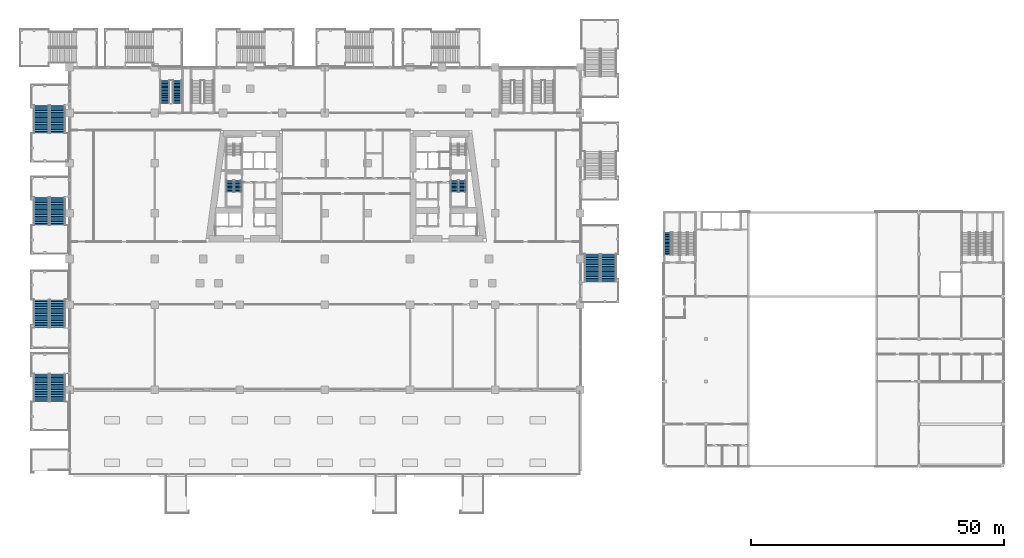
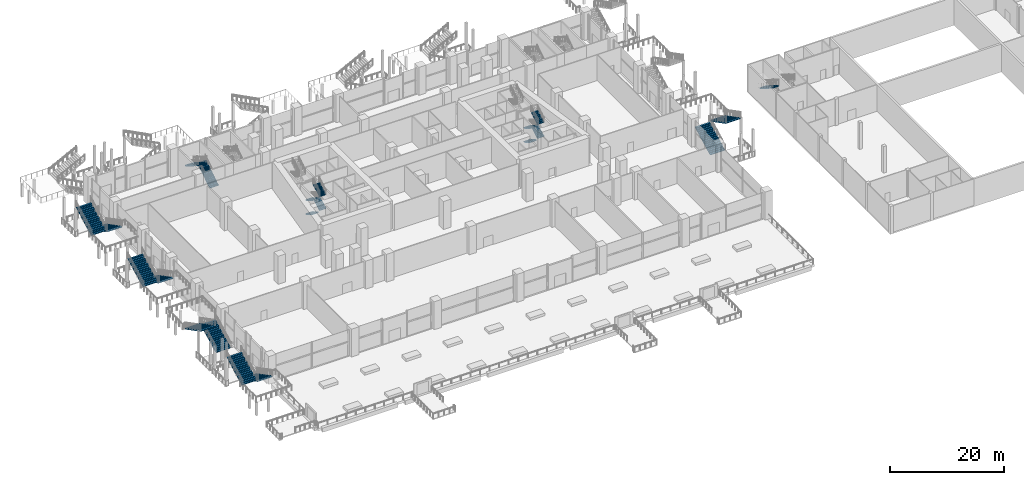
# One storey, part 29 of 47: 21 stair flights, 9 elements without a shape of their own.
"""IFC4 building model written with IfcOpenShell, lengths in metres."""

from ifc_helpers import new_model, si_unit, direction, frame, origin, place, context, subcontext, project, spatial, polyline, outline, extrude, material, type_object, element, aggregate, save


model = new_model("IFC4")

# Units and contexts
model_context = context("Model", 3, precision=1e-05, world=origin(), true_north=direction((0.0, 1.0)))
body_context = subcontext(model_context, "Body", "Model", "MODEL_VIEW")
ifc_project = project(units=[si_unit("LENGTHUNIT", "METRE"), si_unit("AREAUNIT", "SQUARE_METRE"), si_unit("VOLUMEUNIT", "CUBIC_METRE"), si_unit("PLANEANGLEUNIT", "RADIAN"), si_unit("MASSUNIT", "GRAM", prefix="KILO")], contexts=[model_context])

# Site, building, storey
site_placement = place(None, origin())
site = spatial("IfcSite", under=ifc_project, at=site_placement, CompositionType="ELEMENT")
building_placement = place(site_placement, origin())
building = spatial("IfcBuilding", under=site, at=building_placement, Name="Candeia Pilgrim Tower and Theatre", CompositionType="ELEMENT")
storey_placement = place(building_placement, frame((0.0, 0.0, 23.0)))
storey = spatial("IfcBuildingStorey", under=building, at=storey_placement, Name="L03", CompositionType="ELEMENT", Elevation=23.0)

# Stair, stair flights
ifc_material_1 = material(Name="Concrete C40/50", Category="concrete")
stair_type_1 = type_object("IfcStairType", Name="ST-EXT external escape stair", PredefinedType="HALF_TURN_STAIR", material=ifc_material_1)
stair_1_placement = place(storey_placement, origin())
stair_1 = element("IfcStair", 1, at=stair_1_placement, inside=storey, type_object=stair_type_1, Name="L03 External escape stair ES1", PredefinedType="HALF_TURN_STAIR")
stair_flight_type_1 = type_object("IfcStairFlightType", Name="SFL-EXT stair flight", PredefinedType="STRAIGHT", material=ifc_material_1)
stair_flight_1_placement = place(storey_placement, frame((162.0, 102.5, 0.0), z_axis=(0.0, 0.0, 1.0), x_axis=(0.0, 1.0, 0.0)))
stair_flight_1 = element("IfcStairFlight", 2, at=stair_flight_1_placement, type_object=stair_flight_type_1, Name="ES1 flight 1", NumberOfRisers=17, NumberOfTreads=16, PredefinedType="STRAIGHT", RiserHeight=0.176470588, TreadLength=0.34, context=body_context, shape_type="SweptSolid", body=[
    extrude(outline(polyline([(0.0, 0.0), (0.0, 0.176513671875), (0.340087890625, 0.176513671875), (0.340087890625, 0.35302734375), (0.679931640625, 0.35302734375), (0.679931640625, 0.529296875), (1.02001953125, 0.529296875), (1.02001953125, 0.705810546875), (1.360107421875, 0.705810546875), (1.360107421875, 0.88232421875), (1.699951171875, 0.88232421875), (1.699951171875, 1.058837890625), (2.0400390625, 1.058837890625), (2.0400390625, 1.2353515625), (2.3798828125, 1.2353515625), (2.3798828125, 1.411865234375), (2.719970703125, 1.411865234375), (2.719970703125, 1.588134765625), (3.06005859375, 1.588134765625), (3.06005859375, 1.7646484375), (3.39990234375, 1.7646484375), (3.39990234375, 1.941162109375), (3.739990234375, 1.941162109375), (3.739990234375, 2.11767578125), (4.080078125, 2.11767578125), (4.080078125, 2.294189453125), (4.419921875, 2.294189453125), (4.419921875, 2.470703125), (4.760009765625, 2.470703125), (4.760009765625, 2.64697265625), (5.10009765625, 2.64697265625), (5.10009765625, 2.823486328125), (5.43994140625, 2.823486328125), (5.43994140625, 3.0), (5.43994140625, 2.654541015625), (0.325439453125, 0.0), (0.0, 0.0)])), frame((0.0, 1.5, 0.0), z_axis=(0.0, -1.0, 0.0), x_axis=(1.0, 0.0, 0.0)), (0.0, 0.0, 1.0), 3.0),
])
stair_flight_2_placement = place(storey_placement, frame((165.14990234375, 107.93994140625, 3.0), z_axis=(0.0, 0.0, 1.0), x_axis=(0.0, -1.0, 0.0)))
stair_flight_2 = element("IfcStairFlight", 3, at=stair_flight_2_placement, type_object=stair_flight_type_1, Name="ES1 flight 2", NumberOfRisers=17, NumberOfTreads=16, PredefinedType="STRAIGHT", RiserHeight=0.176470588, TreadLength=0.34, context=body_context, shape_type="SweptSolid", body=[
    extrude(outline(polyline([(0.0, 0.0), (0.0, 0.176513671875), (0.340087890625, 0.176513671875), (0.340087890625, 0.35302734375), (0.679931640625, 0.35302734375), (0.679931640625, 0.529296875), (1.02001953125, 0.529296875), (1.02001953125, 0.705810546875), (1.360107421875, 0.705810546875), (1.360107421875, 0.88232421875), (1.699951171875, 0.88232421875), (1.699951171875, 1.058837890625), (2.0400390625, 1.058837890625), (2.0400390625, 1.2353515625), (2.3798828125, 1.2353515625), (2.3798828125, 1.411865234375), (2.719970703125, 1.411865234375), (2.719970703125, 1.588134765625), (3.06005859375, 1.588134765625), (3.06005859375, 1.7646484375), (3.39990234375, 1.7646484375), (3.39990234375, 1.941162109375), (3.739990234375, 1.941162109375), (3.739990234375, 2.11767578125), (4.080078125, 2.11767578125), (4.080078125, 2.294189453125), (4.419921875, 2.294189453125), (4.419921875, 2.470703125), (4.760009765625, 2.470703125), (4.760009765625, 2.64697265625), (5.10009765625, 2.64697265625), (5.10009765625, 2.823486328125), (5.43994140625, 2.823486328125), (5.43994140625, 3.0), (5.43994140625, 2.654541015625), (0.325439453125, 0.0), (0.0, 0.0)])), frame((0.0, 1.5, 0.0), z_axis=(0.0, -1.0, 0.0), x_axis=(1.0, 0.0, 0.0)), (0.0, 0.0, 1.0), 3.0),
])
aggregate(stair_1, [stair_flight_1, stair_flight_2])

stair_2_placement = place(storey_placement, origin())
stair_2 = element("IfcStair", 4, at=stair_2_placement, inside=storey, type_object=stair_type_1, Name="L03 External escape stair ES11", PredefinedType="HALF_TURN_STAIR")
stair_flight_3_placement = place(storey_placement, frame((56.39990234375, 84.300048828125, 0.0), z_axis=(0.0, 0.0, 1.0), x_axis=(0.0, -1.0, 0.0)))
stair_flight_3 = element("IfcStairFlight", 5, at=stair_flight_3_placement, type_object=stair_flight_type_1, Name="ES11 flight 1", NumberOfRisers=17, NumberOfTreads=16, PredefinedType="STRAIGHT", RiserHeight=0.176470588, TreadLength=0.34, context=body_context, shape_type="SweptSolid", body=[
    extrude(outline(polyline([(0.0, 0.0), (0.0, 0.176513671875), (0.340087890625, 0.176513671875), (0.340087890625, 0.35302734375), (0.679931640625, 0.35302734375), (0.679931640625, 0.529296875), (1.02001953125, 0.529296875), (1.02001953125, 0.705810546875), (1.360107421875, 0.705810546875), (1.360107421875, 0.88232421875), (1.699951171875, 0.88232421875), (1.699951171875, 1.058837890625), (2.0400390625, 1.058837890625), (2.0400390625, 1.2353515625), (2.3798828125, 1.2353515625), (2.3798828125, 1.411865234375), (2.719970703125, 1.411865234375), (2.719970703125, 1.588134765625), (3.06005859375, 1.588134765625), (3.06005859375, 1.7646484375), (3.39990234375, 1.7646484375), (3.39990234375, 1.941162109375), (3.739990234375, 1.941162109375), (3.739990234375, 2.11767578125), (4.080078125, 2.11767578125), (4.080078125, 2.294189453125), (4.419921875, 2.294189453125), (4.419921875, 2.470703125), (4.760009765625, 2.470703125), (4.760009765625, 2.64697265625), (5.10009765625, 2.64697265625), (5.10009765625, 2.823486328125), (5.43994140625, 2.823486328125), (5.43994140625, 3.0), (5.43994140625, 2.654541015625), (0.325439453125, 0.0), (0.0, 0.0)])), frame((0.0, 1.5, 0.0), z_axis=(0.0, -1.0, 0.0), x_axis=(1.0, 0.0, 0.0)), (0.0, 0.0, 1.0), 3.0),
])
stair_flight_4_placement = place(storey_placement, frame((53.25, 78.860107421875, 3.0), z_axis=(0.0, 0.0, 1.0), x_axis=(0.0, 1.0, 0.0)))
stair_flight_4 = element("IfcStairFlight", 6, at=stair_flight_4_placement, type_object=stair_flight_type_1, Name="ES11 flight 2", NumberOfRisers=17, NumberOfTreads=16, PredefinedType="STRAIGHT", RiserHeight=0.176470588, TreadLength=0.34, context=body_context, shape_type="SweptSolid", body=[
    extrude(outline(polyline([(0.0, 0.0), (0.0, 0.176513671875), (0.340087890625, 0.176513671875), (0.340087890625, 0.35302734375), (0.679931640625, 0.35302734375), (0.679931640625, 0.529296875), (1.02001953125, 0.529296875), (1.02001953125, 0.705810546875), (1.360107421875, 0.705810546875), (1.360107421875, 0.88232421875), (1.699951171875, 0.88232421875), (1.699951171875, 1.058837890625), (2.0400390625, 1.058837890625), (2.0400390625, 1.2353515625), (2.3798828125, 1.2353515625), (2.3798828125, 1.411865234375), (2.719970703125, 1.411865234375), (2.719970703125, 1.588134765625), (3.06005859375, 1.588134765625), (3.06005859375, 1.7646484375), (3.39990234375, 1.7646484375), (3.39990234375, 1.941162109375), (3.739990234375, 1.941162109375), (3.739990234375, 2.11767578125), (4.080078125, 2.11767578125), (4.080078125, 2.294189453125), (4.419921875, 2.294189453125), (4.419921875, 2.470703125), (4.760009765625, 2.470703125), (4.760009765625, 2.64697265625), (5.10009765625, 2.64697265625), (5.10009765625, 2.823486328125), (5.43994140625, 2.823486328125), (5.43994140625, 3.0), (5.43994140625, 2.654541015625), (0.325439453125, 0.0), (0.0, 0.0)])), frame((0.0, 1.5, 0.0), z_axis=(0.0, -1.0, 0.0), x_axis=(1.0, 0.0, 0.0)), (0.0, 0.0, 1.0), 3.0),
])
aggregate(stair_2, [stair_flight_3, stair_flight_4])

stair_3_placement = place(storey_placement, origin())
stair_3 = element("IfcStair", 7, at=stair_3_placement, inside=storey, type_object=stair_type_1, Name="L03 External escape stair ES12", PredefinedType="HALF_TURN_STAIR")
stair_flight_5_placement = place(storey_placement, frame((56.39990234375, 93.5, 0.0), z_axis=(0.0, 0.0, 1.0), x_axis=(0.0, 1.0, 0.0)))
stair_flight_5 = element("IfcStairFlight", 8, at=stair_flight_5_placement, type_object=stair_flight_type_1, Name="ES12 flight 1", NumberOfRisers=17, NumberOfTreads=16, PredefinedType="STRAIGHT", RiserHeight=0.176470588, TreadLength=0.34, context=body_context, shape_type="SweptSolid", body=[
    extrude(outline(polyline([(0.0, 0.0), (0.0, 0.176513671875), (0.340087890625, 0.176513671875), (0.340087890625, 0.35302734375), (0.679931640625, 0.35302734375), (0.679931640625, 0.529296875), (1.02001953125, 0.529296875), (1.02001953125, 0.705810546875), (1.360107421875, 0.705810546875), (1.360107421875, 0.88232421875), (1.699951171875, 0.88232421875), (1.699951171875, 1.058837890625), (2.0400390625, 1.058837890625), (2.0400390625, 1.2353515625), (2.3798828125, 1.2353515625), (2.3798828125, 1.411865234375), (2.719970703125, 1.411865234375), (2.719970703125, 1.588134765625), (3.06005859375, 1.588134765625), (3.06005859375, 1.7646484375), (3.39990234375, 1.7646484375), (3.39990234375, 1.941162109375), (3.739990234375, 1.941162109375), (3.739990234375, 2.11767578125), (4.080078125, 2.11767578125), (4.080078125, 2.294189453125), (4.419921875, 2.294189453125), (4.419921875, 2.470703125), (4.760009765625, 2.470703125), (4.760009765625, 2.64697265625), (5.10009765625, 2.64697265625), (5.10009765625, 2.823486328125), (5.43994140625, 2.823486328125), (5.43994140625, 3.0), (5.43994140625, 2.654541015625), (0.325439453125, 0.0), (0.0, 0.0)])), frame((0.0, 1.5, 0.0), z_axis=(0.0, -1.0, 0.0), x_axis=(1.0, 0.0, 0.0)), (0.0, 0.0, 1.0), 3.0),
])
stair_flight_6_placement = place(storey_placement, frame((53.25, 98.93994140625, 3.0), z_axis=(0.0, 0.0, 1.0), x_axis=(0.0, -1.0, 0.0)))
stair_flight_6 = element("IfcStairFlight", 9, at=stair_flight_6_placement, type_object=stair_flight_type_1, Name="ES12 flight 2", NumberOfRisers=17, NumberOfTreads=16, PredefinedType="STRAIGHT", RiserHeight=0.176470588, TreadLength=0.34, context=body_context, shape_type="SweptSolid", body=[
    extrude(outline(polyline([(0.0, 0.0), (0.0, 0.176513671875), (0.340087890625, 0.176513671875), (0.340087890625, 0.35302734375), (0.679931640625, 0.35302734375), (0.679931640625, 0.529296875), (1.02001953125, 0.529296875), (1.02001953125, 0.705810546875), (1.360107421875, 0.705810546875), (1.360107421875, 0.88232421875), (1.699951171875, 0.88232421875), (1.699951171875, 1.058837890625), (2.0400390625, 1.058837890625), (2.0400390625, 1.2353515625), (2.3798828125, 1.2353515625), (2.3798828125, 1.411865234375), (2.719970703125, 1.411865234375), (2.719970703125, 1.588134765625), (3.06005859375, 1.588134765625), (3.06005859375, 1.7646484375), (3.39990234375, 1.7646484375), (3.39990234375, 1.941162109375), (3.739990234375, 1.941162109375), (3.739990234375, 2.11767578125), (4.080078125, 2.11767578125), (4.080078125, 2.294189453125), (4.419921875, 2.294189453125), (4.419921875, 2.470703125), (4.760009765625, 2.470703125), (4.760009765625, 2.64697265625), (5.10009765625, 2.64697265625), (5.10009765625, 2.823486328125), (5.43994140625, 2.823486328125), (5.43994140625, 3.0), (5.43994140625, 2.654541015625), (0.325439453125, 0.0), (0.0, 0.0)])), frame((0.0, 1.5, 0.0), z_axis=(0.0, -1.0, 0.0), x_axis=(1.0, 0.0, 0.0)), (0.0, 0.0, 1.0), 3.0),
])
aggregate(stair_3, [stair_flight_5, stair_flight_6])

stair_4_placement = place(storey_placement, origin())
stair_4 = element("IfcStair", 10, at=stair_4_placement, inside=storey, type_object=stair_type_1, Name="L03 External escape stair ES13", PredefinedType="HALF_TURN_STAIR")
stair_flight_7_placement = place(storey_placement, frame((56.39990234375, 137.300048828125, 0.0), z_axis=(0.0, 0.0, 1.0), x_axis=(0.0, -1.0, 0.0)))
stair_flight_7 = element("IfcStairFlight", 11, at=stair_flight_7_placement, type_object=stair_flight_type_1, Name="ES13 flight 1", NumberOfRisers=17, NumberOfTreads=16, PredefinedType="STRAIGHT", RiserHeight=0.176470588, TreadLength=0.34, context=body_context, shape_type="SweptSolid", body=[
    extrude(outline(polyline([(0.0, 0.0), (0.0, 0.176513671875), (0.340087890625, 0.176513671875), (0.340087890625, 0.35302734375), (0.679931640625, 0.35302734375), (0.679931640625, 0.529296875), (1.02001953125, 0.529296875), (1.02001953125, 0.705810546875), (1.360107421875, 0.705810546875), (1.360107421875, 0.88232421875), (1.699951171875, 0.88232421875), (1.699951171875, 1.058837890625), (2.0400390625, 1.058837890625), (2.0400390625, 1.2353515625), (2.3798828125, 1.2353515625), (2.3798828125, 1.411865234375), (2.719970703125, 1.411865234375), (2.719970703125, 1.588134765625), (3.06005859375, 1.588134765625), (3.06005859375, 1.7646484375), (3.39990234375, 1.7646484375), (3.39990234375, 1.941162109375), (3.739990234375, 1.941162109375), (3.739990234375, 2.11767578125), (4.080078125, 2.11767578125), (4.080078125, 2.294189453125), (4.419921875, 2.294189453125), (4.419921875, 2.470703125), (4.760009765625, 2.470703125), (4.760009765625, 2.64697265625), (5.10009765625, 2.64697265625), (5.10009765625, 2.823486328125), (5.43994140625, 2.823486328125), (5.43994140625, 3.0), (5.43994140625, 2.654541015625), (0.325439453125, 0.0), (0.0, 0.0)])), frame((0.0, 1.5, 0.0), z_axis=(0.0, -1.0, 0.0), x_axis=(1.0, 0.0, 0.0)), (0.0, 0.0, 1.0), 3.0),
])
stair_flight_8_placement = place(storey_placement, frame((53.25, 131.860107421875, 3.0), z_axis=(0.0, 0.0, 1.0), x_axis=(0.0, 1.0, 0.0)))
stair_flight_8 = element("IfcStairFlight", 12, at=stair_flight_8_placement, type_object=stair_flight_type_1, Name="ES13 flight 2", NumberOfRisers=17, NumberOfTreads=16, PredefinedType="STRAIGHT", RiserHeight=0.176470588, TreadLength=0.34, context=body_context, shape_type="SweptSolid", body=[
    extrude(outline(polyline([(0.0, 0.0), (0.0, 0.176513671875), (0.340087890625, 0.176513671875), (0.340087890625, 0.35302734375), (0.679931640625, 0.35302734375), (0.679931640625, 0.529296875), (1.02001953125, 0.529296875), (1.02001953125, 0.705810546875), (1.360107421875, 0.705810546875), (1.360107421875, 0.88232421875), (1.699951171875, 0.88232421875), (1.699951171875, 1.058837890625), (2.0400390625, 1.058837890625), (2.0400390625, 1.2353515625), (2.3798828125, 1.2353515625), (2.3798828125, 1.411865234375), (2.719970703125, 1.411865234375), (2.719970703125, 1.588134765625), (3.06005859375, 1.588134765625), (3.06005859375, 1.7646484375), (3.39990234375, 1.7646484375), (3.39990234375, 1.941162109375), (3.739990234375, 1.941162109375), (3.739990234375, 2.11767578125), (4.080078125, 2.11767578125), (4.080078125, 2.294189453125), (4.419921875, 2.294189453125), (4.419921875, 2.470703125), (4.760009765625, 2.470703125), (4.760009765625, 2.64697265625), (5.10009765625, 2.64697265625), (5.10009765625, 2.823486328125), (5.43994140625, 2.823486328125), (5.43994140625, 3.0), (5.43994140625, 2.654541015625), (0.325439453125, 0.0), (0.0, 0.0)])), frame((0.0, 1.5, 0.0), z_axis=(0.0, -1.0, 0.0), x_axis=(1.0, 0.0, 0.0)), (0.0, 0.0, 1.0), 3.0),
])
aggregate(stair_4, [stair_flight_7, stair_flight_8])

stair_5_placement = place(storey_placement, origin())
stair_5 = element("IfcStair", 13, at=stair_5_placement, inside=storey, type_object=stair_type_1, Name="L03 External escape stair ES15", PredefinedType="HALF_TURN_STAIR")
stair_flight_9_placement = place(storey_placement, frame((56.39990234375, 119.14990234375, 0.0), z_axis=(0.0, 0.0, 1.0), x_axis=(0.0, -1.0, 0.0)))
stair_flight_9 = element("IfcStairFlight", 14, at=stair_flight_9_placement, type_object=stair_flight_type_1, Name="ES15 flight 1", NumberOfRisers=17, NumberOfTreads=16, PredefinedType="STRAIGHT", RiserHeight=0.176470588, TreadLength=0.34, context=body_context, shape_type="SweptSolid", body=[
    extrude(outline(polyline([(0.0, 0.0), (0.0, 0.176513671875), (0.340087890625, 0.176513671875), (0.340087890625, 0.35302734375), (0.679931640625, 0.35302734375), (0.679931640625, 0.529296875), (1.02001953125, 0.529296875), (1.02001953125, 0.705810546875), (1.360107421875, 0.705810546875), (1.360107421875, 0.88232421875), (1.699951171875, 0.88232421875), (1.699951171875, 1.058837890625), (2.0400390625, 1.058837890625), (2.0400390625, 1.2353515625), (2.3798828125, 1.2353515625), (2.3798828125, 1.411865234375), (2.719970703125, 1.411865234375), (2.719970703125, 1.588134765625), (3.06005859375, 1.588134765625), (3.06005859375, 1.7646484375), (3.39990234375, 1.7646484375), (3.39990234375, 1.941162109375), (3.739990234375, 1.941162109375), (3.739990234375, 2.11767578125), (4.080078125, 2.11767578125), (4.080078125, 2.294189453125), (4.419921875, 2.294189453125), (4.419921875, 2.470703125), (4.760009765625, 2.470703125), (4.760009765625, 2.64697265625), (5.10009765625, 2.64697265625), (5.10009765625, 2.823486328125), (5.43994140625, 2.823486328125), (5.43994140625, 3.0), (5.43994140625, 2.654541015625), (0.325439453125, 0.0), (0.0, 0.0)])), frame((0.0, 1.5, 0.0), z_axis=(0.0, -1.0, 0.0), x_axis=(1.0, 0.0, 0.0)), (0.0, 0.0, 1.0), 3.0),
])
stair_flight_10_placement = place(storey_placement, frame((53.25, 113.7099609375, 3.0), z_axis=(0.0, 0.0, 1.0), x_axis=(0.0, 1.0, 0.0)))
stair_flight_10 = element("IfcStairFlight", 15, at=stair_flight_10_placement, type_object=stair_flight_type_1, Name="ES15 flight 2", NumberOfRisers=17, NumberOfTreads=16, PredefinedType="STRAIGHT", RiserHeight=0.176470588, TreadLength=0.34, context=body_context, shape_type="SweptSolid", body=[
    extrude(outline(polyline([(0.0, 0.0), (0.0, 0.176513671875), (0.340087890625, 0.176513671875), (0.340087890625, 0.35302734375), (0.679931640625, 0.35302734375), (0.679931640625, 0.529296875), (1.02001953125, 0.529296875), (1.02001953125, 0.705810546875), (1.360107421875, 0.705810546875), (1.360107421875, 0.88232421875), (1.699951171875, 0.88232421875), (1.699951171875, 1.058837890625), (2.0400390625, 1.058837890625), (2.0400390625, 1.2353515625), (2.3798828125, 1.2353515625), (2.3798828125, 1.411865234375), (2.719970703125, 1.411865234375), (2.719970703125, 1.588134765625), (3.06005859375, 1.588134765625), (3.06005859375, 1.7646484375), (3.39990234375, 1.7646484375), (3.39990234375, 1.941162109375), (3.739990234375, 1.941162109375), (3.739990234375, 2.11767578125), (4.080078125, 2.11767578125), (4.080078125, 2.294189453125), (4.419921875, 2.294189453125), (4.419921875, 2.470703125), (4.760009765625, 2.470703125), (4.760009765625, 2.64697265625), (5.10009765625, 2.64697265625), (5.10009765625, 2.823486328125), (5.43994140625, 2.823486328125), (5.43994140625, 3.0), (5.43994140625, 2.654541015625), (0.325439453125, 0.0), (0.0, 0.0)])), frame((0.0, 1.5, 0.0), z_axis=(0.0, -1.0, 0.0), x_axis=(1.0, 0.0, 0.0)), (0.0, 0.0, 1.0), 3.0),
])
aggregate(stair_5, [stair_flight_9, stair_flight_10])

stair_type_2 = type_object("IfcStairType", Name="ST-POD dog-leg escape stair", PredefinedType="HALF_TURN_STAIR", material=ifc_material_1)
stair_6_placement = place(storey_placement, origin())
stair_6 = element("IfcStair", 16, at=stair_6_placement, inside=storey, type_object=stair_type_2, Name="L03 Escape stair PS1", PredefinedType="HALF_TURN_STAIR")
stair_flight_type_2 = type_object("IfcStairFlightType", Name="SFL-POD stair flight", PredefinedType="STRAIGHT", material=ifc_material_1)
stair_flight_11_placement = place(storey_placement, frame((80.074951171875, 137.72509765625, 0.0), z_axis=(0.0, 0.0, 1.0), x_axis=(0.0, 1.0, 0.0)))
stair_flight_11 = element("IfcStairFlight", 17, at=stair_flight_11_placement, type_object=stair_flight_type_2, Name="PS1 flight 1", NumberOfRisers=17, NumberOfTreads=16, PredefinedType="STRAIGHT", RiserHeight=0.176470588, TreadLength=0.28, context=body_context, shape_type="SweptSolid", body=[
    extrude(outline(polyline([(0.0, 0.0), (0.0, 0.176513671875), (0.280029296875, 0.176513671875), (0.280029296875, 0.35302734375), (0.56005859375, 0.35302734375), (0.56005859375, 0.529296875), (0.840087890625, 0.529296875), (0.840087890625, 0.705810546875), (1.1201171875, 0.705810546875), (1.1201171875, 0.88232421875), (1.39990234375, 0.88232421875), (1.39990234375, 1.058837890625), (1.679931640625, 1.058837890625), (1.679931640625, 1.2353515625), (1.9599609375, 1.2353515625), (1.9599609375, 1.411865234375), (2.239990234375, 1.411865234375), (2.239990234375, 1.588134765625), (2.52001953125, 1.588134765625), (2.52001953125, 1.7646484375), (2.800048828125, 1.7646484375), (2.800048828125, 1.941162109375), (3.080078125, 1.941162109375), (3.080078125, 2.11767578125), (3.360107421875, 2.11767578125), (3.360107421875, 2.294189453125), (3.639892578125, 2.294189453125), (3.639892578125, 2.470703125), (3.919921875, 2.470703125), (3.919921875, 2.64697265625), (4.199951171875, 2.64697265625), (4.199951171875, 2.823486328125), (4.47998046875, 2.823486328125), (4.47998046875, 3.0), (4.47998046875, 2.646240234375), (0.28125, 0.0), (0.0, 0.0)])), frame((0.0, 0.89990234375, 0.0), z_axis=(0.0, -1.0, 0.0), x_axis=(1.0, 0.0, 0.0)), (0.0, 0.0, 1.0), 1.800048828125),
])
stair_flight_12_placement = place(storey_placement, frame((77.625, 142.205078125, 3.0), z_axis=(0.0, 0.0, 1.0), x_axis=(0.0, -1.0, 0.0)))
stair_flight_12 = element("IfcStairFlight", 18, at=stair_flight_12_placement, type_object=stair_flight_type_2, Name="PS1 flight 2", NumberOfRisers=17, NumberOfTreads=16, PredefinedType="STRAIGHT", RiserHeight=0.176470588, TreadLength=0.28, context=body_context, shape_type="SweptSolid", body=[
    extrude(outline(polyline([(0.0, 0.0), (0.0, 0.176513671875), (0.280029296875, 0.176513671875), (0.280029296875, 0.35302734375), (0.56005859375, 0.35302734375), (0.56005859375, 0.529296875), (0.840087890625, 0.529296875), (0.840087890625, 0.705810546875), (1.1201171875, 0.705810546875), (1.1201171875, 0.88232421875), (1.39990234375, 0.88232421875), (1.39990234375, 1.058837890625), (1.679931640625, 1.058837890625), (1.679931640625, 1.2353515625), (1.9599609375, 1.2353515625), (1.9599609375, 1.411865234375), (2.239990234375, 1.411865234375), (2.239990234375, 1.588134765625), (2.52001953125, 1.588134765625), (2.52001953125, 1.7646484375), (2.800048828125, 1.7646484375), (2.800048828125, 1.941162109375), (3.080078125, 1.941162109375), (3.080078125, 2.11767578125), (3.360107421875, 2.11767578125), (3.360107421875, 2.294189453125), (3.639892578125, 2.294189453125), (3.639892578125, 2.470703125), (3.919921875, 2.470703125), (3.919921875, 2.64697265625), (4.199951171875, 2.64697265625), (4.199951171875, 2.823486328125), (4.47998046875, 2.823486328125), (4.47998046875, 3.0), (4.47998046875, 2.646240234375), (0.28125, 0.0), (0.0, 0.0)])), frame((0.0, 0.89990234375, 0.0), z_axis=(0.0, -1.0, 0.0), x_axis=(1.0, 0.0, 0.0)), (0.0, 0.0, 1.0), 1.800048828125),
])
aggregate(stair_6, [stair_flight_11, stair_flight_12])

stair_type_3 = type_object("IfcStairType", Name="ST-TWR dog-leg escape stair", PredefinedType="HALF_TURN_STAIR", material=ifc_material_1)
stair_7_placement = place(storey_placement, origin())
stair_7 = element("IfcStair", 19, at=stair_7_placement, inside=storey, type_object=stair_type_3, Name="L03 Escape stair ST1", PredefinedType="HALF_TURN_STAIR")
stair_flight_type_3 = type_object("IfcStairFlightType", Name="SFL-RC stair flight", PredefinedType="STRAIGHT", material=ifc_material_1)
stair_flight_13_placement = place(storey_placement, frame((90.47705078125, 122.47509765625, 0.0), z_axis=(0.0, 0.0, 1.0), x_axis=(0.0, -1.0, 0.0)))
stair_flight_13 = element("IfcStairFlight", 20, at=stair_flight_13_placement, type_object=stair_flight_type_3, Name="ST1 flight 1", NumberOfRisers=9, NumberOfTreads=8, PredefinedType="STRAIGHT", RiserHeight=0.166666667, TreadLength=0.28, context=body_context, shape_type="SweptSolid", body=[
    extrude(outline(polyline([(0.0, 0.0), (0.0, 0.166748046875), (0.280029296875, 0.166748046875), (0.280029296875, 0.333251953125), (0.56005859375, 0.333251953125), (0.56005859375, 0.5), (0.840087890625, 0.5), (0.840087890625, 0.666748046875), (1.1201171875, 0.666748046875), (1.1201171875, 0.833251953125), (1.39990234375, 0.833251953125), (1.39990234375, 1.0), (1.679931640625, 1.0), (1.679931640625, 1.166748046875), (1.9599609375, 1.166748046875), (1.9599609375, 1.333251953125), (2.239990234375, 1.333251953125), (2.239990234375, 1.5), (2.239990234375, 1.158935546875), (0.29296875, 0.0), (0.0, 0.0)])), frame((0.0, 0.675048828125, 0.0), z_axis=(0.0, -1.0, 0.0), x_axis=(1.0, 0.0, 0.0)), (0.0, 0.0, 1.0), 1.35009765625),
])
stair_flight_14_placement = place(storey_placement, frame((92.027099609375, 120.235107421875, 1.5), z_axis=(0.0, 0.0, 1.0), x_axis=(0.0, 1.0, 0.0)))
stair_flight_14 = element("IfcStairFlight", 21, at=stair_flight_14_placement, type_object=stair_flight_type_3, Name="ST1 flight 2", NumberOfRisers=9, NumberOfTreads=8, PredefinedType="STRAIGHT", RiserHeight=0.166666667, TreadLength=0.28, context=body_context, shape_type="SweptSolid", body=[
    extrude(outline(polyline([(0.0, 0.0), (0.0, 0.166748046875), (0.280029296875, 0.166748046875), (0.280029296875, 0.333251953125), (0.56005859375, 0.333251953125), (0.56005859375, 0.5), (0.840087890625, 0.5), (0.840087890625, 0.666748046875), (1.1201171875, 0.666748046875), (1.1201171875, 0.833251953125), (1.39990234375, 0.833251953125), (1.39990234375, 1.0), (1.679931640625, 1.0), (1.679931640625, 1.166748046875), (1.9599609375, 1.166748046875), (1.9599609375, 1.333251953125), (2.239990234375, 1.333251953125), (2.239990234375, 1.5), (2.239990234375, 1.158935546875), (0.29296875, 0.0), (0.0, 0.0)])), frame((0.0, 0.675048828125, 0.0), z_axis=(0.0, -1.0, 0.0), x_axis=(1.0, 0.0, 0.0)), (0.0, 0.0, 1.0), 1.35009765625),
])
stair_flight_15_placement = place(storey_placement, frame((90.47705078125, 122.47509765625, 3.0), z_axis=(0.0, 0.0, 1.0), x_axis=(0.0, -1.0, 0.0)))
stair_flight_15 = element("IfcStairFlight", 22, at=stair_flight_15_placement, type_object=stair_flight_type_3, Name="ST1 flight 3", NumberOfRisers=9, NumberOfTreads=8, PredefinedType="STRAIGHT", RiserHeight=0.166666667, TreadLength=0.28, context=body_context, shape_type="SweptSolid", body=[
    extrude(outline(polyline([(0.0, 0.0), (0.0, 0.166748046875), (0.280029296875, 0.166748046875), (0.280029296875, 0.333251953125), (0.56005859375, 0.333251953125), (0.56005859375, 0.5), (0.840087890625, 0.5), (0.840087890625, 0.666748046875), (1.1201171875, 0.666748046875), (1.1201171875, 0.833251953125), (1.39990234375, 0.833251953125), (1.39990234375, 1.0), (1.679931640625, 1.0), (1.679931640625, 1.166748046875), (1.9599609375, 1.166748046875), (1.9599609375, 1.333251953125), (2.239990234375, 1.333251953125), (2.239990234375, 1.5), (2.239990234375, 1.158935546875), (0.29296875, 0.0), (0.0, 0.0)])), frame((0.0, 0.675048828125, 0.0), z_axis=(0.0, -1.0, 0.0), x_axis=(1.0, 0.0, 0.0)), (0.0, 0.0, 1.0), 1.35009765625),
])
stair_flight_16_placement = place(storey_placement, frame((92.027099609375, 120.235107421875, 4.5), z_axis=(0.0, 0.0, 1.0), x_axis=(0.0, 1.0, 0.0)))
stair_flight_16 = element("IfcStairFlight", 23, at=stair_flight_16_placement, type_object=stair_flight_type_3, Name="ST1 flight 4", NumberOfRisers=9, NumberOfTreads=8, PredefinedType="STRAIGHT", RiserHeight=0.166666667, TreadLength=0.28, context=body_context, shape_type="SweptSolid", body=[
    extrude(outline(polyline([(0.0, 0.0), (0.0, 0.166748046875), (0.280029296875, 0.166748046875), (0.280029296875, 0.333251953125), (0.56005859375, 0.333251953125), (0.56005859375, 0.5), (0.840087890625, 0.5), (0.840087890625, 0.666748046875), (1.1201171875, 0.666748046875), (1.1201171875, 0.833251953125), (1.39990234375, 0.833251953125), (1.39990234375, 1.0), (1.679931640625, 1.0), (1.679931640625, 1.166748046875), (1.9599609375, 1.166748046875), (1.9599609375, 1.333251953125), (2.239990234375, 1.333251953125), (2.239990234375, 1.5), (2.239990234375, 1.158935546875), (0.29296875, 0.0), (0.0, 0.0)])), frame((0.0, 0.675048828125, 0.0), z_axis=(0.0, -1.0, 0.0), x_axis=(1.0, 0.0, 0.0)), (0.0, 0.0, 1.0), 1.35009765625),
])
aggregate(stair_7, [stair_flight_13, stair_flight_14, stair_flight_15, stair_flight_16])

stair_8_placement = place(storey_placement, origin())
stair_8 = element("IfcStair", 24, at=stair_8_placement, inside=storey, type_object=stair_type_3, Name="L03 Escape stair ST3", PredefinedType="HALF_TURN_STAIR")
stair_flight_17_placement = place(storey_placement, frame((134.77294921875, 122.47509765625, 0.0), z_axis=(0.0, 0.0, 1.0), x_axis=(0.0, -1.0, 0.0)))
stair_flight_17 = element("IfcStairFlight", 25, at=stair_flight_17_placement, type_object=stair_flight_type_3, Name="ST3 flight 1", NumberOfRisers=9, NumberOfTreads=8, PredefinedType="STRAIGHT", RiserHeight=0.166666667, TreadLength=0.28, context=body_context, shape_type="SweptSolid", body=[
    extrude(outline(polyline([(0.0, 0.0), (0.0, 0.166748046875), (0.280029296875, 0.166748046875), (0.280029296875, 0.333251953125), (0.56005859375, 0.333251953125), (0.56005859375, 0.5), (0.840087890625, 0.5), (0.840087890625, 0.666748046875), (1.1201171875, 0.666748046875), (1.1201171875, 0.833251953125), (1.39990234375, 0.833251953125), (1.39990234375, 1.0), (1.679931640625, 1.0), (1.679931640625, 1.166748046875), (1.9599609375, 1.166748046875), (1.9599609375, 1.333251953125), (2.239990234375, 1.333251953125), (2.239990234375, 1.5), (2.239990234375, 1.158935546875), (0.29296875, 0.0), (0.0, 0.0)])), frame((0.0, 0.675048828125, 0.0), z_axis=(0.0, -1.0, 0.0), x_axis=(1.0, 0.0, 0.0)), (0.0, 0.0, 1.0), 1.35009765625),
])
stair_flight_18_placement = place(storey_placement, frame((136.322998046875, 120.235107421875, 1.5), z_axis=(0.0, 0.0, 1.0), x_axis=(0.0, 1.0, 0.0)))
stair_flight_18 = element("IfcStairFlight", 26, at=stair_flight_18_placement, type_object=stair_flight_type_3, Name="ST3 flight 2", NumberOfRisers=9, NumberOfTreads=8, PredefinedType="STRAIGHT", RiserHeight=0.166666667, TreadLength=0.28, context=body_context, shape_type="SweptSolid", body=[
    extrude(outline(polyline([(0.0, 0.0), (0.0, 0.166748046875), (0.280029296875, 0.166748046875), (0.280029296875, 0.333251953125), (0.56005859375, 0.333251953125), (0.56005859375, 0.5), (0.840087890625, 0.5), (0.840087890625, 0.666748046875), (1.1201171875, 0.666748046875), (1.1201171875, 0.833251953125), (1.39990234375, 0.833251953125), (1.39990234375, 1.0), (1.679931640625, 1.0), (1.679931640625, 1.166748046875), (1.9599609375, 1.166748046875), (1.9599609375, 1.333251953125), (2.239990234375, 1.333251953125), (2.239990234375, 1.5), (2.239990234375, 1.158935546875), (0.29296875, 0.0), (0.0, 0.0)])), frame((0.0, 0.675048828125, 0.0), z_axis=(0.0, -1.0, 0.0), x_axis=(1.0, 0.0, 0.0)), (0.0, 0.0, 1.0), 1.35009765625),
])
stair_flight_19_placement = place(storey_placement, frame((134.77294921875, 122.47509765625, 3.0), z_axis=(0.0, 0.0, 1.0), x_axis=(0.0, -1.0, 0.0)))
stair_flight_19 = element("IfcStairFlight", 27, at=stair_flight_19_placement, type_object=stair_flight_type_3, Name="ST3 flight 3", NumberOfRisers=9, NumberOfTreads=8, PredefinedType="STRAIGHT", RiserHeight=0.166666667, TreadLength=0.28, context=body_context, shape_type="SweptSolid", body=[
    extrude(outline(polyline([(0.0, 0.0), (0.0, 0.166748046875), (0.280029296875, 0.166748046875), (0.280029296875, 0.333251953125), (0.56005859375, 0.333251953125), (0.56005859375, 0.5), (0.840087890625, 0.5), (0.840087890625, 0.666748046875), (1.1201171875, 0.666748046875), (1.1201171875, 0.833251953125), (1.39990234375, 0.833251953125), (1.39990234375, 1.0), (1.679931640625, 1.0), (1.679931640625, 1.166748046875), (1.9599609375, 1.166748046875), (1.9599609375, 1.333251953125), (2.239990234375, 1.333251953125), (2.239990234375, 1.5), (2.239990234375, 1.158935546875), (0.29296875, 0.0), (0.0, 0.0)])), frame((0.0, 0.675048828125, 0.0), z_axis=(0.0, -1.0, 0.0), x_axis=(1.0, 0.0, 0.0)), (0.0, 0.0, 1.0), 1.35009765625),
])
stair_flight_20_placement = place(storey_placement, frame((136.322998046875, 120.235107421875, 4.5), z_axis=(0.0, 0.0, 1.0), x_axis=(0.0, 1.0, 0.0)))
stair_flight_20 = element("IfcStairFlight", 28, at=stair_flight_20_placement, type_object=stair_flight_type_3, Name="ST3 flight 4", NumberOfRisers=9, NumberOfTreads=8, PredefinedType="STRAIGHT", RiserHeight=0.166666667, TreadLength=0.28, context=body_context, shape_type="SweptSolid", body=[
    extrude(outline(polyline([(0.0, 0.0), (0.0, 0.166748046875), (0.280029296875, 0.166748046875), (0.280029296875, 0.333251953125), (0.56005859375, 0.333251953125), (0.56005859375, 0.5), (0.840087890625, 0.5), (0.840087890625, 0.666748046875), (1.1201171875, 0.666748046875), (1.1201171875, 0.833251953125), (1.39990234375, 0.833251953125), (1.39990234375, 1.0), (1.679931640625, 1.0), (1.679931640625, 1.166748046875), (1.9599609375, 1.166748046875), (1.9599609375, 1.333251953125), (2.239990234375, 1.333251953125), (2.239990234375, 1.5), (2.239990234375, 1.158935546875), (0.29296875, 0.0), (0.0, 0.0)])), frame((0.0, 0.675048828125, 0.0), z_axis=(0.0, -1.0, 0.0), x_axis=(1.0, 0.0, 0.0)), (0.0, 0.0, 1.0), 1.35009765625),
])
aggregate(stair_8, [stair_flight_17, stair_flight_18, stair_flight_19, stair_flight_20])

# Stair, stair flight
ifc_material_2 = material(Name="Concrete C35/45", Category="concrete")
stair_type_4 = type_object("IfcStairType", Name="Theatre stair", PredefinedType="HALF_TURN_STAIR", material=ifc_material_2)
stair_9_placement = place(storey_placement, origin())
stair_9 = element("IfcStair", 29, at=stair_9_placement, inside=storey, type_object=stair_type_4, Name="L03 Theatre stair S1", PredefinedType="HALF_TURN_STAIR")
stair_flight_type_4 = type_object("IfcStairFlightType", Name="Theatre stair flight", PredefinedType="STRAIGHT", material=ifc_material_2)
stair_flight_21_placement = place(storey_placement, frame((176.800048828125, 112.2548828125, 3.0), z_axis=(0.0, 0.0, 1.0), x_axis=(0.0, -1.0, 0.0)))
stair_flight_21 = element("IfcStairFlight", 30, at=stair_flight_21_placement, type_object=stair_flight_type_4, Name="TS1 flight 2", NumberOfRisers=17, NumberOfTreads=16, PredefinedType="STRAIGHT", RiserHeight=0.176470588, TreadLength=0.28, context=body_context, shape_type="SweptSolid", body=[
    extrude(outline(polyline([(0.0, 0.0), (0.0, 0.176513671875), (0.280029296875, 0.176513671875), (0.280029296875, 0.35302734375), (0.56005859375, 0.35302734375), (0.56005859375, 0.529296875), (0.840087890625, 0.529296875), (0.840087890625, 0.705810546875), (1.1201171875, 0.705810546875), (1.1201171875, 0.88232421875), (1.39990234375, 0.88232421875), (1.39990234375, 1.058837890625), (1.679931640625, 1.058837890625), (1.679931640625, 1.2353515625), (1.9599609375, 1.2353515625), (1.9599609375, 1.411865234375), (2.239990234375, 1.411865234375), (2.239990234375, 1.588134765625), (2.52001953125, 1.588134765625), (2.52001953125, 1.7646484375), (2.800048828125, 1.7646484375), (2.800048828125, 1.941162109375), (3.080078125, 1.941162109375), (3.080078125, 2.11767578125), (3.360107421875, 2.11767578125), (3.360107421875, 2.294189453125), (3.639892578125, 2.294189453125), (3.639892578125, 2.470703125), (3.919921875, 2.470703125), (3.919921875, 2.64697265625), (4.199951171875, 2.64697265625), (4.199951171875, 2.823486328125), (4.47998046875, 2.823486328125), (4.47998046875, 3.0), (4.47998046875, 2.646240234375), (0.28125, 0.0), (0.0, 0.0)])), frame((0.0, 0.675048828125, 0.0), z_axis=(0.0, -1.0, 0.0), x_axis=(1.0, 0.0, 0.0)), (0.0, 0.0, 1.0), 1.35009765625),
])
aggregate(stair_9, [stair_flight_21])

save(model, "model.ifc")
